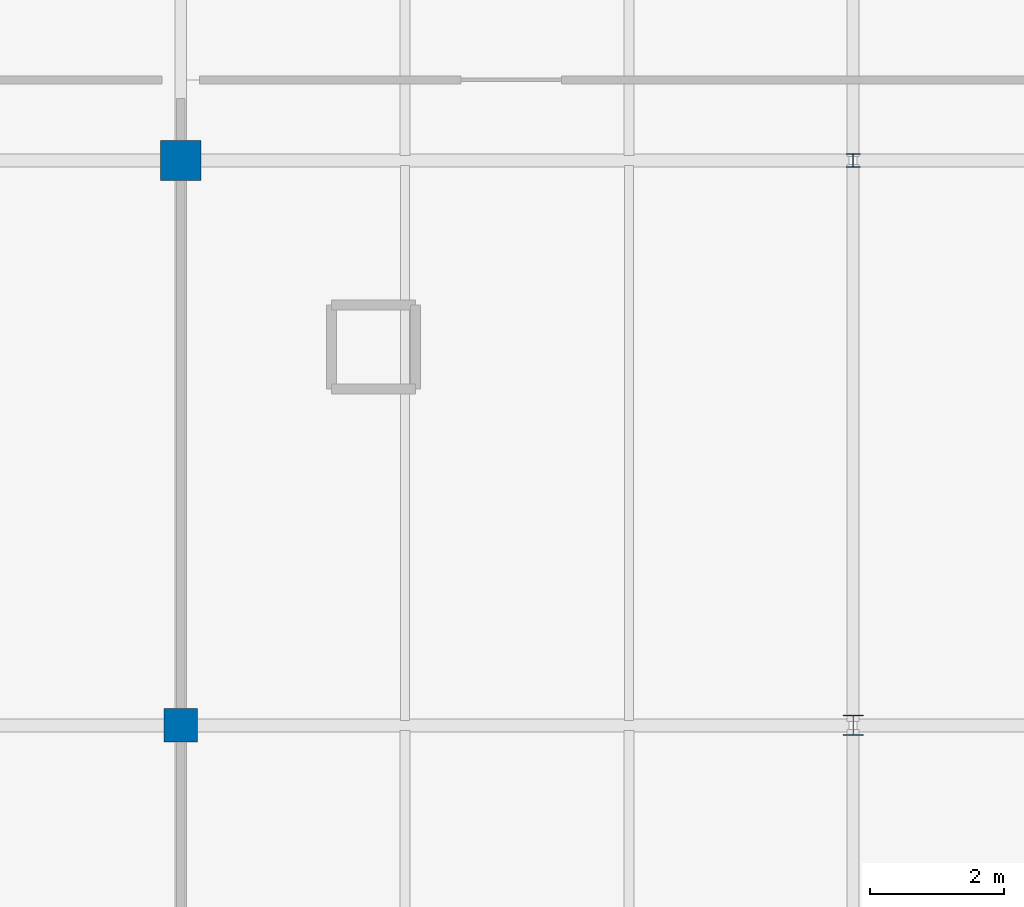
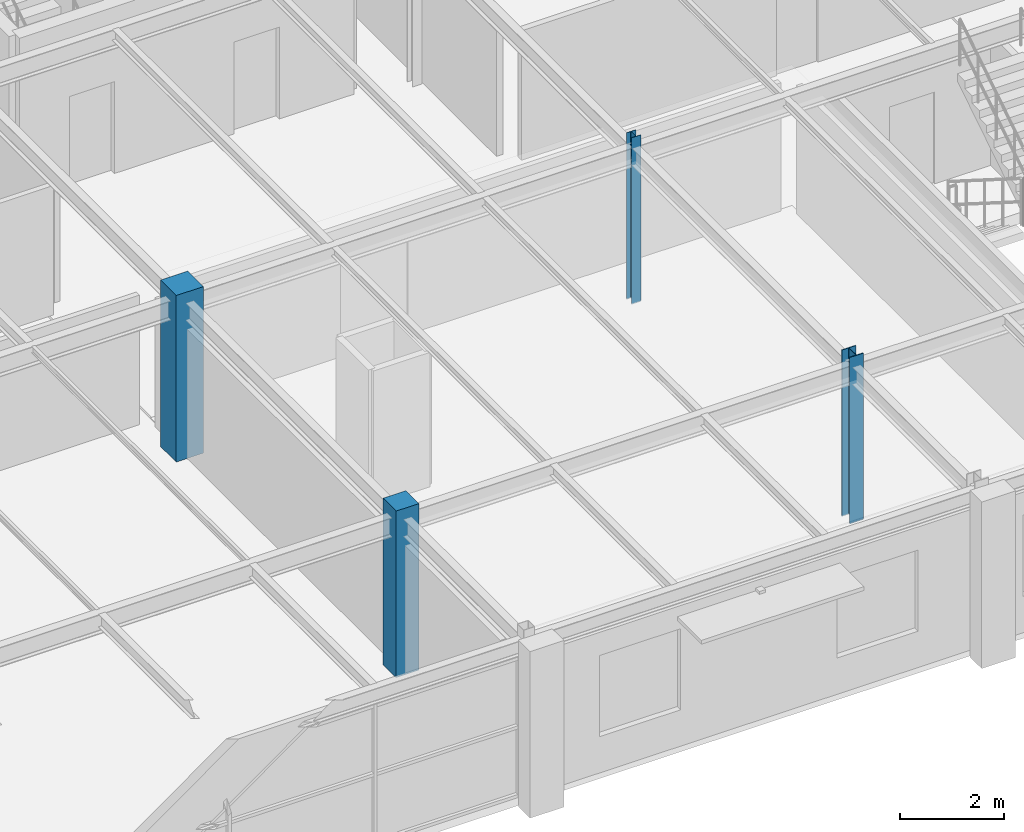
# One storey, part 24 of 98: 4 columns.
"""IFC4 building model written with IfcOpenShell, lengths in metres."""

from ifc_helpers import new_model, si_unit, derived_unit, direction, frame, origin, origin_2d_with_axis, place, context, subcontext, project, spatial, rectangle, i_section, extrude, material, material_profile, profile_set, type_object, element, save


model = new_model("IFC4")

# Units and contexts
model_context = context("Model", 3, precision=1e-05, world=origin(), true_north=direction((0.0, 1.0)))
body_context = subcontext(model_context, "Body", "Model", "MODEL_VIEW")
ifc_project = project(units=[si_unit("LENGTHUNIT", "METRE"), si_unit("AREAUNIT", "SQUARE_METRE"), si_unit("VOLUMEUNIT", "CUBIC_METRE"), si_unit("PLANEANGLEUNIT", "RADIAN"), si_unit("MASSUNIT", "GRAM", prefix="KILO"), derived_unit("THERMALTRANSMITTANCEUNIT", [(si_unit("POWERUNIT", "WATT"), 1), (si_unit("LENGTHUNIT", "METRE"), -2), (si_unit("THERMODYNAMICTEMPERATUREUNIT", "KELVIN"), -1)])], contexts=[model_context])

# Site, building, storey
site_placement = place(None, origin())
site = spatial("IfcSite", under=ifc_project, at=site_placement, CompositionType="ELEMENT")
building_placement = place(site_placement, origin())
building = spatial("IfcBuilding", under=site, at=building_placement, Name="Cinnabar Yard Market Hall", CompositionType="ELEMENT")
storey_placement = place(building_placement, frame((0.0, 0.0, 4.5)))
storey = spatial("IfcBuildingStorey", under=building, at=storey_placement, Name="L01", CompositionType="ELEMENT", Elevation=4.5)

# Columns
ifc_material_1 = material(Name="Steel Grade 300 (300 MPa)", Category="steel")
ifc_material_profile_1 = material_profile(ifc_material_1, i_section(OverallWidth=0.304931640625, OverallDepth=0.30810546875, WebThickness=0.010009765625, FlangeThickness=0.015380859375, FilletRadius=0.0166015625, at=origin_2d_with_axis()), Name="310UC96.8")
ifc_profile_set_1 = profile_set([ifc_material_profile_1], Name="Steel Grade 300 (300 MPa)")
column_type_1 = type_object("IfcColumnType", Name="COL-C09", PredefinedType="COLUMN", material=ifc_profile_set_1)
column_1_placement = place(storey_placement, frame((136.0, 112.800048828125, 0.0), z_axis=(0.0, 0.0, 1.0), x_axis=(1.0, 0.0, 0.0)))
element("IfcColumn", 1, at=column_1_placement, inside=storey, type_object=column_type_1, Name="Wing Column V3-08-02 L01", PredefinedType="COLUMN", context=body_context, shape_type="SweptSolid", body=[
    extrude(i_section(OverallWidth=0.304931640625, OverallDepth=0.30810546875, WebThickness=0.010009765625, FlangeThickness=0.015380859375, FilletRadius=0.0166015625, at=origin_2d_with_axis()), origin(), (0.0, 0.0, 1.0), 3.89990234375),
])
ifc_material_profile_2 = material_profile(ifc_material_1, i_section(OverallWidth=0.203369140625, OverallDepth=0.203369140625, WebThickness=0.00732421875, FlangeThickness=0.010986328125, FilletRadius=0.011474609375, at=origin_2d_with_axis()), Name="200UC46.2")
ifc_profile_set_2 = profile_set([ifc_material_profile_2], Name="Steel Grade 300 (300 MPa)")
column_type_2 = type_object("IfcColumnType", Name="COL-C13", PredefinedType="COLUMN", material=ifc_profile_set_2)
column_2_placement = place(storey_placement, frame((136.0, 121.199951171875, 0.0), z_axis=(0.0, 0.0, 1.0), x_axis=(1.0, 0.0, 0.0)))
element("IfcColumn", 2, at=column_2_placement, inside=storey, type_object=column_type_2, Name="Wing Column V3-08-03 L01", PredefinedType="COLUMN", context=body_context, shape_type="SweptSolid", body=[
    extrude(i_section(OverallWidth=0.203369140625, OverallDepth=0.203369140625, WebThickness=0.00732421875, FlangeThickness=0.010986328125, FilletRadius=0.011474609375, at=origin_2d_with_axis()), origin(), (0.0, 0.0, 1.0), 3.89990234375),
])
ifc_material_2 = material(Name="Concrete 40 MPa", Category="concrete")
ifc_material_profile_3 = material_profile(ifc_material_2, rectangle(XDim=0.5, YDim=0.5, at=origin_2d_with_axis()), Name="RC-500x500")
ifc_profile_set_3 = profile_set([ifc_material_profile_3], Name="Concrete 40 MPa")
column_type_3 = type_object("IfcColumnType", Name="COL-RC1", PredefinedType="COLUMN", material=ifc_profile_set_3)
column_3_placement = place(storey_placement, frame((126.0, 112.800048828125, 0.0), z_axis=(0.0, 0.0, 1.0), x_axis=(1.0, 0.0, 0.0)))
element("IfcColumn", 3, at=column_3_placement, inside=storey, type_object=column_type_3, Name="Wing Column V3-07-02 L01", PredefinedType="COLUMN", context=body_context, shape_type="SweptSolid", body=[
    extrude(rectangle(XDim=0.5, YDim=0.5, at=origin_2d_with_axis()), origin(), (0.0, 0.0, 1.0), 3.89990234375),
])
ifc_material_profile_4 = material_profile(ifc_material_2, rectangle(XDim=0.60009765625, YDim=0.60009765625, at=origin_2d_with_axis()), Name="RC-600x600")
ifc_profile_set_4 = profile_set([ifc_material_profile_4], Name="Concrete 40 MPa")
column_type_4 = type_object("IfcColumnType", Name="COL-RC2", PredefinedType="COLUMN", material=ifc_profile_set_4)
column_4_placement = place(storey_placement, frame((126.0, 121.199951171875, 0.0), z_axis=(0.0, 0.0, 1.0), x_axis=(1.0, 0.0, 0.0)))
element("IfcColumn", 4, at=column_4_placement, inside=storey, type_object=column_type_4, Name="Wing Column V3-07-03 L01", PredefinedType="COLUMN", context=body_context, shape_type="SweptSolid", body=[
    extrude(rectangle(XDim=0.60009765625, YDim=0.60009765625, at=origin_2d_with_axis()), origin(), (0.0, 0.0, 1.0), 3.89990234375),
])

save(model, "model.ifc")
